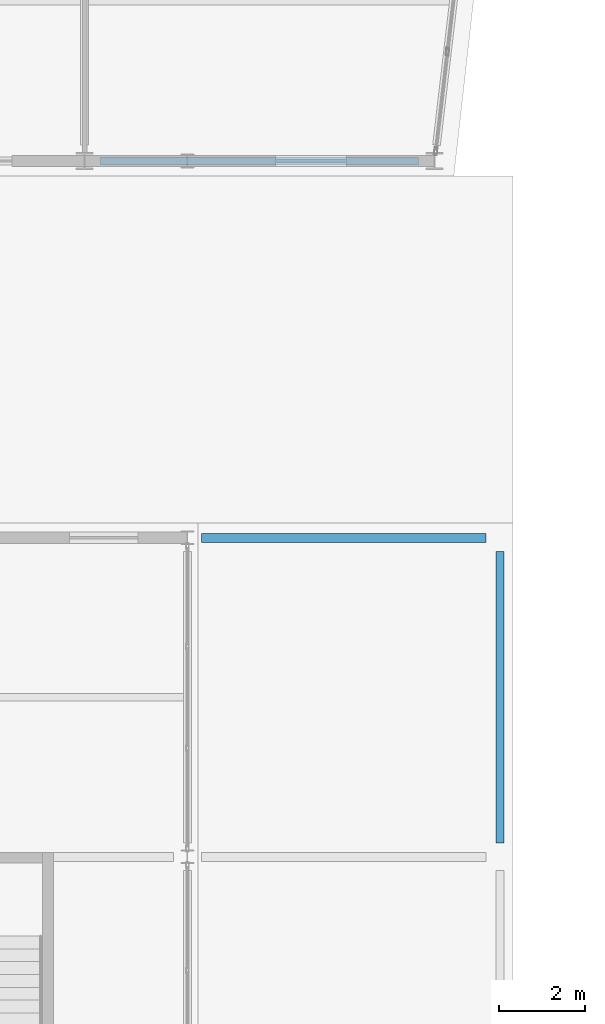
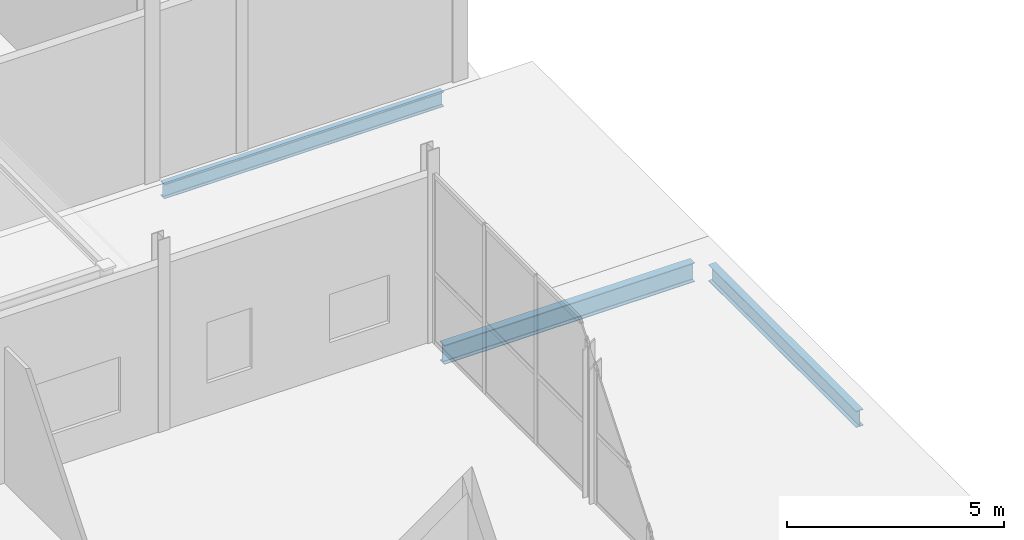
# One storey, part 22 of 83: 3 beams.
"""IFC4 building model written with IfcOpenShell, lengths in metres."""

import ifcopenshell
import ifcopenshell.guid

model = None  # the IFC model being written
_history = None  # IfcOwnerHistory: only IFC2X3 demands one
_inside = {}  # id of a spatial element -> (the spatial element, [elements in it])
_under = {}  # id of a project, library or spatial element -> (it, [spatial elements below it])
_declared = {}  # id of a project -> (the project, [libraries it declares])
_typed = {}  # id of a type object -> (the type object, [elements of that type])
_made_of = {}  # id of a material, layer set ... -> (it, [elements and type objects made of it])


def new_model(schema):
    """Start an empty IFC model of exactly this schema.

    Asked for "IFC4X3", IfcOpenShell would pick the latest addendum, in which some entities
    have other attributes; the version numbers below select the first issue.
    IFC2X3 requires an IfcOwnerHistory on every rooted entity: one is made here for all.
    """
    global model, _history
    if schema == "IFC4X3":
        model = ifcopenshell.file(schema_version=(4, 3, 0, 0))
    else:
        model = ifcopenshell.file(schema=schema)
    _inside.clear()
    _under.clear()
    _declared.clear()
    _typed.clear()
    _made_of.clear()
    _history = None
    if model.schema == "IFC2X3":
        org = make("IfcOrganization", Name="unknown")
        user = make(
            "IfcPersonAndOrganization",
            ThePerson=make("IfcPerson", FamilyName="unknown"),
            TheOrganization=org,
        )
        app = make(
            "IfcApplication",
            ApplicationDeveloper=org,
            Version="unknown",
            ApplicationFullName="unknown",
            ApplicationIdentifier="unknown",
        )
        _history = make(
            "IfcOwnerHistory",
            OwningUser=user,
            OwningApplication=app,
            ChangeAction="ADDED",
            CreationDate=0,
        )
    return model


def make(cls, **values):
    """One entity of the class cls with the attributes given. An attribute that is None is left unset."""
    return model.create_entity(
        cls, **{name: value for name, value in values.items() if value is not None}
    )


def rooted(cls, **values):
    """An entity with a GlobalId (a new one), such as an element, a storey or a relation."""
    return make(cls, GlobalId=ifcopenshell.guid.new(), OwnerHistory=_history, **values)


def si_unit(unit_type, name, prefix=None):
    """IfcSIUnit, for example si_unit("LENGTHUNIT", "METRE", prefix="MILLI")."""
    return make("IfcSIUnit", UnitType=unit_type, Prefix=prefix, Name=name)


def assignment(units):
    """IfcUnitAssignment: the units of a project."""
    return None if units is None else make("IfcUnitAssignment", Units=units)


def point(xyz):
    """IfcCartesianPoint."""
    return None if xyz is None else make("IfcCartesianPoint", Coordinates=xyz)


def direction(xyz):
    """IfcDirection."""
    return None if xyz is None else make("IfcDirection", DirectionRatios=xyz)


def frame(location, z_axis=None, x_axis=None):
    """IfcAxis2Placement3D, a coordinate frame: its origin and axes. An axis left out is left unset."""
    return make(
        "IfcAxis2Placement3D",
        Location=point(location),
        Axis=direction(z_axis),
        RefDirection=direction(x_axis),
    )


def frame_2d(location, x_axis=None):
    """IfcAxis2Placement2D, a coordinate frame in the plane: its origin and x axis."""
    return make(
        "IfcAxis2Placement2D", Location=point(location), RefDirection=direction(x_axis)
    )


def origin():
    """The frame at (0, 0, 0) with its axes left unset."""
    return frame((0.0, 0.0, 0.0))


def origin_2d():
    """The frame at (0, 0) in the plane with its x axis left unset."""
    return frame_2d((0.0, 0.0))


def place(relative_to, where):
    """IfcLocalPlacement: puts the frame where relative to a parent placement (None: the world)."""
    return make(
        "IfcLocalPlacement", PlacementRelTo=relative_to, RelativePlacement=where
    )


def context(
    kind, dimensions, precision=None, world=None, true_north=None, identifier=None
):
    """IfcGeometricRepresentationContext, for example the 3D "Model" context."""
    return make(
        "IfcGeometricRepresentationContext",
        ContextIdentifier=identifier,
        ContextType=kind,
        CoordinateSpaceDimension=dimensions,
        Precision=precision,
        WorldCoordinateSystem=world,
        TrueNorth=true_north,
    )


def subcontext(parent, identifier, kind, view, scale=None):
    """IfcGeometricRepresentationSubContext, for example "Body" below "Model"."""
    return make(
        "IfcGeometricRepresentationSubContext",
        ContextIdentifier=identifier,
        ContextType=kind,
        ParentContext=parent,
        TargetScale=scale,
        TargetView=view,
    )


def project(units=None, contexts=None):
    """IfcProject with its units and contexts."""
    return rooted(
        "IfcProject",
        Name="project",
        RepresentationContexts=contexts,
        UnitsInContext=assignment(units),
    )


def spatial(cls, under=None, at=None, **own):
    """A site, building, storey or space (cls), placed at a placement, below another one or the project."""
    s = rooted(cls, ObjectPlacement=at, **own)
    if under is not None:
        _under.setdefault(under.id(), (under, []))[1].append(s)
    return s


def profile(cls, at=None, kind="AREA", **sizes):
    """A parametric profile (cls). Its sizes go by their IFC names, for example OverallWidth=200.0."""
    return make(cls, ProfileType=kind, Position=at, **sizes)


def i_section(**sizes):
    """IfcIShapeProfileDef."""
    return profile("IfcIShapeProfileDef", **sizes)


def extrude(swept, where, along, depth):
    """IfcExtrudedAreaSolid: the profile swept, set in the frame where, extruded along a direction by depth."""
    return make(
        "IfcExtrudedAreaSolid",
        SweptArea=swept,
        Position=where,
        ExtrudedDirection=direction(along),
        Depth=depth,
    )


def shape(context_of_items, identifier, shape_type, items):
    """IfcShapeRepresentation: the items that make up one representation, for example the "Body"."""
    return make(
        "IfcShapeRepresentation",
        ContextOfItems=context_of_items,
        RepresentationIdentifier=identifier,
        RepresentationType=shape_type,
        Items=items,
    )


def material(Name=None, Category=None):
    """IfcMaterial."""
    return make("IfcMaterial", Name=Name, Category=Category)


def material_profile(
    of_material, cross_section, Name=None, Category=None, Priority=None
):
    """IfcMaterialProfile: a cross section and its material."""
    return make(
        "IfcMaterialProfile",
        Name=Name,
        Material=of_material,
        Profile=cross_section,
        Priority=Priority,
        Category=Category,
    )


def profile_set(profiles, Name=None, composite=None):
    """IfcMaterialProfileSet."""
    return make(
        "IfcMaterialProfileSet",
        Name=Name,
        MaterialProfiles=profiles,
        CompositeProfile=composite,
    )


def made_of(thing, what):
    """Note that an element or type object is made of a material, layer set ...; save() writes the relation."""
    if what is not None:
        _made_of.setdefault(what.id(), (what, []))[1].append(thing)
    return thing


def type_object(cls, material=None, **own):
    """A type object (cls), such as IfcWallType, which elements share."""
    return made_of(rooted(cls, **own), material)


def element(
    cls,
    number,
    at=None,
    inside=None,
    cuts=None,
    type_object=None,
    material=None,
    context=None,
    identifier="Body",
    shape_type=None,
    held_by="IfcProductDefinitionShape",
    body=None,
    shapes=None,
    **own,
):
    """One element of the class cls, such as IfcWall. Its Tag is "e" and its number.

    at: its placement. inside: the storey or other place that contains it. cuts: it is an
    opening in that element (IfcRelVoidsElement). A single representation is given by context,
    identifier, shape_type and body (its items); several are given by shapes. held_by: the class
    of the entity that holds the representations. save() writes the other relations.
    """
    e = rooted(cls, Tag="e%d" % number, ObjectPlacement=at, **own)
    if body is not None:
        shapes = [shape(context, identifier, shape_type, body)]
    if shapes is not None:
        e.Representation = make(held_by, Representations=shapes)
    if inside is not None:
        _inside.setdefault(inside.id(), (inside, []))[1].append(e)
    if cuts is not None:
        rooted(
            "IfcRelVoidsElement", RelatingBuildingElement=cuts, RelatedOpeningElement=e
        )
    if type_object is not None:
        _typed.setdefault(type_object.id(), (type_object, []))[1].append(e)
    return made_of(e, material)


def aggregate(whole, parts):
    """IfcRelAggregates: a whole, such as a stair, and the parts it consists of."""
    return rooted("IfcRelAggregates", RelatingObject=whole, RelatedObjects=parts)


def save(model, path):
    """Write the relations noted so far, then the file.

    IfcRelAggregates (storeys below a building ...), IfcRelContainedInSpatialStructure (elements
    in a storey), IfcRelDefinesByType, IfcRelAssociatesMaterial and IfcRelDeclares: one each for
    every whole, place, type object, material and project.
    """
    for whole, parts in _under.values():
        aggregate(whole, parts)
    for where, things in _inside.values():
        rooted(
            "IfcRelContainedInSpatialStructure",
            RelatedElements=things,
            RelatingStructure=where,
        )
    for kind, things in _typed.values():
        rooted("IfcRelDefinesByType", RelatedObjects=things, RelatingType=kind)
    for what, things in _made_of.values():
        rooted("IfcRelAssociatesMaterial", RelatedObjects=things, RelatingMaterial=what)
    for by, libraries in _declared.values():
        rooted("IfcRelDeclares", RelatingContext=by, RelatedDefinitions=libraries)
    model.write(path)


model = new_model("IFC4")

# Units and contexts
model_context = context("Model", 3, precision=1e-05, world=origin(), true_north=direction((0.0, 1.0)))
body_context = subcontext(model_context, "Body", "Model", "MODEL_VIEW")
ifc_project = project(units=[si_unit("LENGTHUNIT", "METRE"), si_unit("AREAUNIT", "SQUARE_METRE"), si_unit("VOLUMEUNIT", "CUBIC_METRE"), si_unit("PLANEANGLEUNIT", "RADIAN"), si_unit("MASSUNIT", "GRAM", prefix="KILO")], contexts=[model_context])

# Site, building, storey
site_placement = place(None, origin())
site = spatial("IfcSite", under=ifc_project, at=site_placement, CompositionType="ELEMENT")
building_placement = place(site_placement, origin())
building = spatial("IfcBuilding", under=site, at=building_placement, Name="Quillay Park Conservatory", CompositionType="ELEMENT")
storey_placement = place(building_placement, origin())
storey = spatial("IfcBuildingStorey", under=building, at=storey_placement, Name="L00", CompositionType="ELEMENT", Elevation=0.0)

# Beams
ifc_material_1 = material(Name="Steel ASTM A992 Grade 50", Category="steel")
ifc_material_profile_1 = material_profile(ifc_material_1, i_section(OverallWidth=0.179931640625, OverallDepth=0.4130859375, WebThickness=0.009765625, FlangeThickness=0.01611328125, FilletRadius=0.011962890625, at=origin_2d()), Name="W410x74")
ifc_profile_set_1 = profile_set([ifc_material_profile_1], Name="Steel ASTM A992 Grade 50")
beam_type_1 = type_object("IfcBeamType", Name="PERIMETER SPANDREL BEAM W410 X74", PredefinedType="SPANDREL", material=ifc_profile_set_1)
beam_1_placement = place(storey_placement, frame((20.125, 63.050048828125, -0.45654296875), z_axis=(1.0, 0.0, 0.0), x_axis=(0.0, 1.0, 0.0)))
element("IfcBeam", 1, at=beam_1_placement, inside=storey, type_object=beam_type_1, Name="L00 beam BM-SP-0052", PredefinedType="SPANDREL", context=body_context, shape_type="SweptSolid", body=[
    extrude(i_section(OverallWidth=0.179931640625, OverallDepth=0.4130859375, WebThickness=0.009765625, FlangeThickness=0.01611328125, FilletRadius=0.011962890625, at=origin_2d()), origin(), (0.0, 0.0, 1.0), 7.425048828125),
])
ifc_material_2 = material(Name="Steel ASTM A992 Grade 50", Category="steel")
ifc_material_profile_2 = material_profile(ifc_material_2, i_section(OverallWidth=0.19189453125, OverallDepth=0.462890625, WebThickness=0.010498046875, FlangeThickness=0.017578125, FilletRadius=0.012939453125, at=origin_2d()), Name="W460x89")
ifc_profile_set_2 = profile_set([ifc_material_profile_2], Name="Steel ASTM A992 Grade 50")
beam_type_2 = type_object("IfcBeamType", Name="PRIMARY FLOOR GIRDER W460 X89", PredefinedType="BEAM", material=ifc_profile_set_2)
beam_2_placement = place(storey_placement, frame((29.449951171875, 47.125, -0.4814453125), z_axis=(0.0, 1.0, 0.0), x_axis=(-1.0, 0.0, 0.0)))
element("IfcBeam", 2, at=beam_2_placement, inside=storey, type_object=beam_type_2, Name="L00 beam BM-V3Y-1242", PredefinedType="BEAM", context=body_context, shape_type="SweptSolid", body=[
    extrude(i_section(OverallWidth=0.19189453125, OverallDepth=0.462890625, WebThickness=0.010498046875, FlangeThickness=0.017578125, FilletRadius=0.012939453125, at=origin_2d()), origin(), (0.0, 0.0, 1.0), 6.800048828125),
])
ifc_material_3 = material(Name="Steel ASTM A992 Grade 50", Category="steel")
ifc_material_profile_3 = material_profile(ifc_material_3, i_section(OverallWidth=0.2109375, OverallDepth=0.5390625, WebThickness=0.01171875, FlangeThickness=0.018798828125, FilletRadius=0.013916015625, at=origin_2d()), Name="W530x109")
ifc_profile_set_3 = profile_set([ifc_material_profile_3], Name="Steel ASTM A992 Grade 50")
beam_type_3 = type_object("IfcBeamType", Name="PRIMARY FLOOR GIRDER W530 X109", PredefinedType="BEAM", material=ifc_profile_set_3)
beam_3_placement = place(storey_placement, frame((22.47509765625, 54.25, -0.51953125), z_axis=(1.0, 0.0, 0.0), x_axis=(0.0, 1.0, 0.0)))
element("IfcBeam", 3, at=beam_3_placement, inside=storey, type_object=beam_type_3, Name="L00 beam BM-V3X-1207", PredefinedType="BEAM", context=body_context, shape_type="SweptSolid", body=[
    extrude(i_section(OverallWidth=0.2109375, OverallDepth=0.5390625, WebThickness=0.01171875, FlangeThickness=0.018798828125, FilletRadius=0.013916015625, at=origin_2d()), origin(), (0.0, 0.0, 1.0), 6.64990234375),
])

save(model, "model.ifc")
